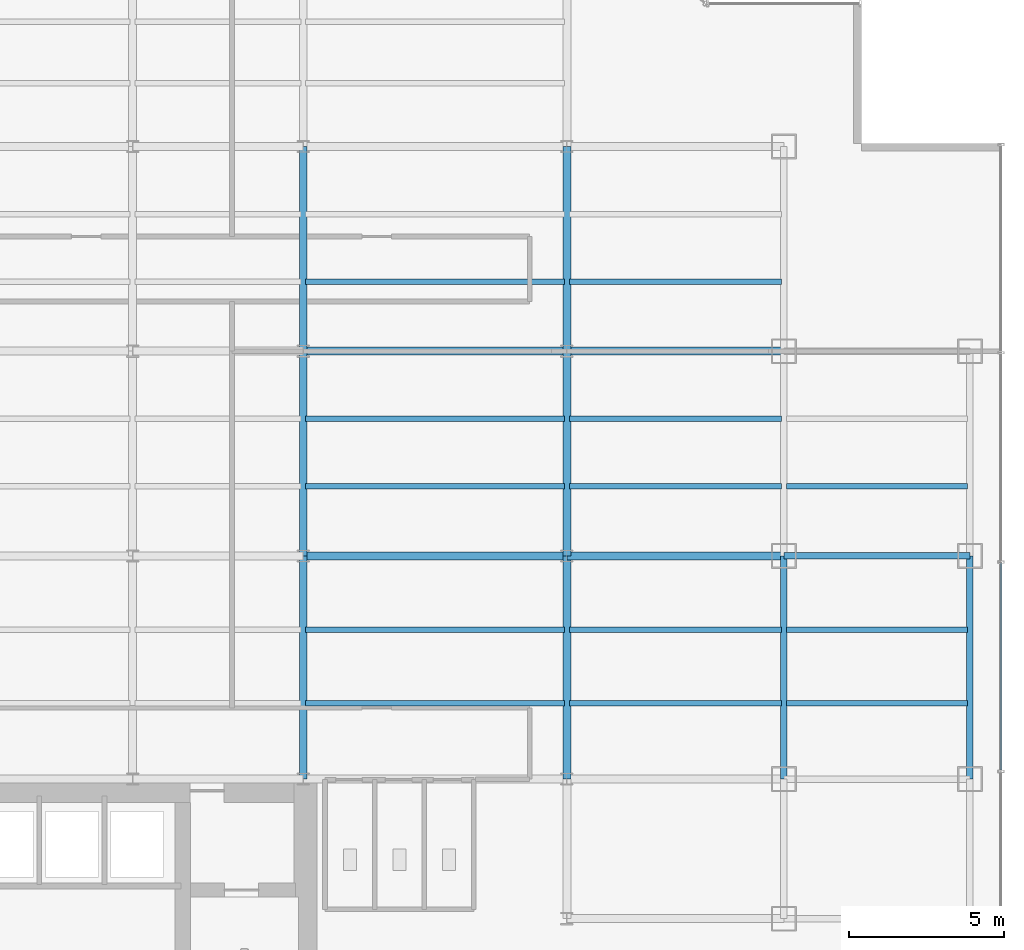
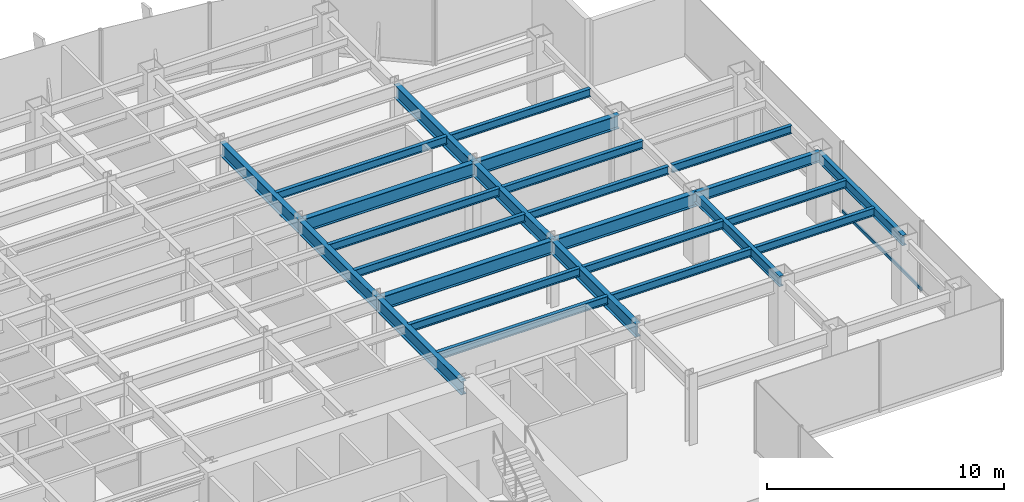
# One storey, part 11 of 26: 26 beams, 1 member, 1 element without a shape of its own.
"""IFC4 building model written with IfcOpenShell, lengths in metres."""

from ifc_helpers import new_model, si_unit, derived_unit, direction, frame, origin, origin_2d, place, context, subcontext, project, spatial, hollow_rectangle, i_section, extrude, source, transform, mapped, material, material_profile, profile_set, type_object, element, aggregate, save


model = new_model("IFC4")

# Units and contexts
model_context = context("Model", 3, precision=1e-05, world=origin(), true_north=direction((0.0, 1.0)))
body_context = subcontext(model_context, "Body", "Model", "MODEL_VIEW")
ifc_project = project(units=[si_unit("LENGTHUNIT", "METRE"), si_unit("AREAUNIT", "SQUARE_METRE"), si_unit("VOLUMEUNIT", "CUBIC_METRE"), si_unit("PLANEANGLEUNIT", "RADIAN"), si_unit("MASSUNIT", "GRAM", prefix="KILO"), derived_unit("THERMALTRANSMITTANCEUNIT", [(si_unit("POWERUNIT", "WATT"), 1), (si_unit("LENGTHUNIT", "METRE"), -2), (si_unit("THERMODYNAMICTEMPERATUREUNIT", "KELVIN"), -1)])], contexts=[model_context])

# Site, building, storey
site_placement = place(None, origin())
site = spatial("IfcSite", under=ifc_project, at=site_placement, CompositionType="ELEMENT")
building_placement = place(site_placement, origin())
building = spatial("IfcBuilding", under=site, at=building_placement, Name="Skarnbrae Concourse Arena and Tower", CompositionType="ELEMENT")
storey_placement = place(building_placement, frame((0.0, 0.0, 92.300048828125)))
storey = spatial("IfcBuildingStorey", under=building, at=storey_placement, Name="L22", CompositionType="ELEMENT", Elevation=92.300048828125)

# Beams
ifc_material_1 = material(Name="Steel CSA G40.21 350W", Category="steel")
ifc_material_profile_1 = material_profile(ifc_material_1, i_section(OverallWidth=0.256103515625, OverallDepth=0.693115234375, WebThickness=0.014404296875, FlangeThickness=0.023681640625, at=origin_2d()), Name="W690X170")
ifc_profile_set_1 = profile_set([ifc_material_profile_1], Name="Steel CSA G40.21 350W")
beam_type_1 = type_object("IfcBeamType", Name="BM-GIRD-W690X170", PredefinedType="BEAM", material=ifc_profile_set_1)
shared_shape_1 = source(origin(), body_context, "Body", "SweptSolid", [
    extrude(i_section(OverallWidth=0.256103515625, OverallDepth=0.693115234375, WebThickness=0.014404296875, FlangeThickness=0.023681640625, at=origin_2d()), origin(), (0.0, 0.0, 1.0), 7.0),
])
for number, where, z_axis, x_axis, name in (
    (1, (42.0, 21.199951171875, 3.053466796875), (1.0, 0.0, 0.0), (0.0, 1.0, 0.0), "L22 Primary E-W girder Y21.2-7"),
    (2, (42.0, 27.800048828125, 3.053466796875), (1.0, 0.0, 0.0), (0.0, 1.0, 0.0), "L22 Primary E-W girder Y27.8-7"),
):
    element("IfcBeam", number, at=place(storey_placement, frame(where, z_axis=z_axis, x_axis=x_axis)), inside=storey, type_object=beam_type_1, Name=name, PredefinedType="BEAM", context=body_context, shape_type="MappedRepresentation", body=[
        mapped(shared_shape_1, transform((0.0, 0.0, 0.0))),
    ])
ifc_material_profile_2 = material_profile(ifc_material_1, i_section(OverallWidth=0.208984375, OverallDepth=0.532958984375, WebThickness=0.01025390625, FlangeThickness=0.015625, at=origin_2d()), Name="W530X92")
ifc_profile_set_2 = profile_set([ifc_material_profile_2], Name="Steel CSA G40.21 350W")
beam_type_2 = type_object("IfcBeamType", Name="BM-SPAN-W530X92", PredefinedType="SPANDREL", material=ifc_profile_set_2)
shared_shape_2 = source(origin(), body_context, "Body", "SweptSolid", [
    extrude(i_section(OverallWidth=0.208984375, OverallDepth=0.532958984375, WebThickness=0.01025390625, FlangeThickness=0.015625, at=origin_2d()), origin(), (0.0, 0.0, 1.0), 6.0),
])
beam_placement = place(storey_placement, frame((49.0, 21.199951171875, 3.133544921875), z_axis=(1.0, 0.0, 0.0), x_axis=(0.0, 1.0, 0.0)))
element("IfcBeam", 3, at=beam_placement, inside=storey, type_object=beam_type_2, Name="L22 Perimeter spandrel Y21.2-8", PredefinedType="SPANDREL", context=body_context, shape_type="MappedRepresentation", body=[
    mapped(shared_shape_2, transform((0.0, 0.0, 0.0))),
])
shared_shape_3 = source(origin(), body_context, "Body", "SweptSolid", [
    extrude(i_section(OverallWidth=0.256103515625, OverallDepth=0.693115234375, WebThickness=0.014404296875, FlangeThickness=0.023681640625, at=origin_2d()), origin(), (0.0, 0.0, 1.0), 6.60009765625),
])
for number, where, z_axis, x_axis, name in (
    (4, (33.5, 21.199951171875, 3.053466796875), (0.0, 1.0, 0.0), (-1.0, 0.0, 0.0), "L22 Primary N-S girder X33.5-2"),
    (5, (42.0, 21.199951171875, 3.053466796875), (0.0, 1.0, 0.0), (-1.0, 0.0, 0.0), "L22 Primary N-S girder X42.0-3"),
):
    element("IfcBeam", number, at=place(storey_placement, frame(where, z_axis=z_axis, x_axis=x_axis)), inside=storey, type_object=beam_type_1, Name=name, PredefinedType="BEAM", context=body_context, shape_type="MappedRepresentation", body=[
        mapped(shared_shape_3, transform((0.0, 0.0, 0.0))),
    ])
shared_shape_4 = source(origin(), body_context, "Body", "SweptSolid", [
    extrude(i_section(OverallWidth=0.256103515625, OverallDepth=0.693115234375, WebThickness=0.014404296875, FlangeThickness=0.023681640625, at=origin_2d()), origin(), (0.0, 0.0, 1.0), 8.5),
])
for number, where, z_axis, x_axis, name in (
    (6, (33.5, 21.199951171875, 3.053466796875), (1.0, 0.0, 0.0), (0.0, 1.0, 0.0), "L22 Primary E-W girder Y21.2-6"),
    (7, (33.5, 27.800048828125, 3.053466796875), (1.0, 0.0, 0.0), (0.0, 1.0, 0.0), "L22 Primary E-W girder Y27.8-6"),
):
    element("IfcBeam", number, at=place(storey_placement, frame(where, z_axis=z_axis, x_axis=x_axis)), inside=storey, type_object=beam_type_1, Name=name, PredefinedType="BEAM", context=body_context, shape_type="MappedRepresentation", body=[
        mapped(shared_shape_4, transform((0.0, 0.0, 0.0))),
    ])
shared_shape_5 = source(origin(), body_context, "Body", "SweptSolid", [
    extrude(i_section(OverallWidth=0.208984375, OverallDepth=0.532958984375, WebThickness=0.01025390625, FlangeThickness=0.015625, at=origin_2d()), origin(), (0.0, 0.0, 1.0), 7.199951171875),
])
for number, where, z_axis, x_axis, name in (
    (8, (49.0, 14.0, 3.133544921875), (0.0, 1.0, 0.0), (-1.0, 0.0, 0.0), "L22 Perimeter spandrel X49.0-2"),
    (9, (55.0, 14.0, 3.133544921875), (0.0, 1.0, 0.0), (-1.0, 0.0, 0.0), "L22 Perimeter spandrel X55.0-2"),
):
    element("IfcBeam", number, at=place(storey_placement, frame(where, z_axis=z_axis, x_axis=x_axis)), inside=storey, type_object=beam_type_2, Name=name, PredefinedType="SPANDREL", context=body_context, shape_type="MappedRepresentation", body=[
        mapped(shared_shape_5, transform((0.0, 0.0, 0.0))),
    ])
shared_shape_6 = source(origin(), body_context, "Body", "SweptSolid", [
    extrude(i_section(OverallWidth=0.256103515625, OverallDepth=0.693115234375, WebThickness=0.014404296875, FlangeThickness=0.023681640625, at=origin_2d()), origin(), (0.0, 0.0, 1.0), 7.199951171875),
])
for number, where, z_axis, x_axis, name in (
    (10, (33.5, 14.0, 3.053466796875), (0.0, 1.0, 0.0), (-1.0, 0.0, 0.0), "L22 Primary N-S girder X33.5-1"),
    (11, (42.0, 14.0, 3.053466796875), (0.0, 1.0, 0.0), (-1.0, 0.0, 0.0), "L22 Primary N-S girder X42.0-2"),
):
    element("IfcBeam", number, at=place(storey_placement, frame(where, z_axis=z_axis, x_axis=x_axis)), inside=storey, type_object=beam_type_1, Name=name, PredefinedType="BEAM", context=body_context, shape_type="MappedRepresentation", body=[
        mapped(shared_shape_6, transform((0.0, 0.0, 0.0))),
    ])
shared_shape_7 = source(origin(), body_context, "Body", "SweptSolid", [
    extrude(i_section(OverallWidth=0.256103515625, OverallDepth=0.693115234375, WebThickness=0.014404296875, FlangeThickness=0.023681640625, at=origin_2d()), origin(), (0.0, 0.0, 1.0), 6.599853515625),
])
for number, where, z_axis, x_axis, name in (
    (12, (33.5, 27.800048828125, 3.053466796875), (0.0, 1.0, 0.0), (-1.0, 0.0, 0.0), "L22 Primary N-S girder X33.5-3"),
    (13, (42.0, 27.800048828125, 3.053466796875), (0.0, 1.0, 0.0), (-1.0, 0.0, 0.0), "L22 Primary N-S girder X42.0-4"),
):
    element("IfcBeam", number, at=place(storey_placement, frame(where, z_axis=z_axis, x_axis=x_axis)), inside=storey, type_object=beam_type_1, Name=name, PredefinedType="BEAM", context=body_context, shape_type="MappedRepresentation", body=[
        mapped(shared_shape_7, transform((0.0, 0.0, 0.0))),
    ])
ifc_material_profile_3 = material_profile(ifc_material_1, i_section(OverallWidth=0.177978515625, OverallDepth=0.406982421875, WebThickness=0.0078125, FlangeThickness=0.0126953125, at=origin_2d()), Name="W410X60")
ifc_profile_set_3 = profile_set([ifc_material_profile_3], Name="Steel CSA G40.21 350W")
beam_type_3 = type_object("IfcBeamType", Name="BM-JOIST-W410X60", PredefinedType="JOIST", material=ifc_profile_set_3)
shared_shape_8 = source(origin(), body_context, "Body", "SweptSolid", [
    extrude(i_section(OverallWidth=0.177978515625, OverallDepth=0.406982421875, WebThickness=0.0078125, FlangeThickness=0.0126953125, at=origin_2d()), origin(), (0.0, 0.0, 1.0), 8.33984375),
])
for number, where, z_axis, x_axis, name in (
    (14, (33.580078125, 16.447998046875, 3.196533203125), (1.0, 0.0, 0.0), (0.0, 1.0, 0.0), "L22 Secondary floor joist 1.1.6"),
    (15, (33.580078125, 18.823974609375, 3.196533203125), (1.0, 0.0, 0.0), (0.0, 1.0, 0.0), "L22 Secondary floor joist 1.2.6"),
    (16, (33.580078125, 23.444091796875, 3.196533203125), (1.0, 0.0, 0.0), (0.0, 1.0, 0.0), "L22 Secondary floor joist 2.1.6"),
    (17, (33.580078125, 25.6220703125, 3.196533203125), (1.0, 0.0, 0.0), (0.0, 1.0, 0.0), "L22 Secondary floor joist 2.2.6"),
    (18, (33.580078125, 30.0439453125, 3.196533203125), (1.0, 0.0, 0.0), (0.0, 1.0, 0.0), "L22 Secondary floor joist 3.1.5"),
):
    element("IfcBeam", number, at=place(storey_placement, frame(where, z_axis=z_axis, x_axis=x_axis)), inside=storey, type_object=beam_type_3, Name=name, PredefinedType="JOIST", context=body_context, shape_type="MappedRepresentation", body=[
        mapped(shared_shape_8, transform((0.0, 0.0, 0.0))),
    ])
shared_shape_9 = source(origin(), body_context, "Body", "SweptSolid", [
    extrude(i_section(OverallWidth=0.177978515625, OverallDepth=0.406982421875, WebThickness=0.0078125, FlangeThickness=0.0126953125, at=origin_2d()), origin(), (0.0, 0.0, 1.0), 6.83984375),
])
for number, where, z_axis, x_axis, name in (
    (19, (42.080078125, 16.447998046875, 3.196533203125), (1.0, 0.0, 0.0), (0.0, 1.0, 0.0), "L22 Secondary floor joist 1.1.7"),
    (20, (42.080078125, 18.823974609375, 3.196533203125), (1.0, 0.0, 0.0), (0.0, 1.0, 0.0), "L22 Secondary floor joist 1.2.7"),
    (21, (42.080078125, 23.444091796875, 3.196533203125), (1.0, 0.0, 0.0), (0.0, 1.0, 0.0), "L22 Secondary floor joist 2.1.7"),
    (22, (42.080078125, 25.6220703125, 3.196533203125), (1.0, 0.0, 0.0), (0.0, 1.0, 0.0), "L22 Secondary floor joist 2.2.7"),
    (23, (42.080078125, 30.0439453125, 3.196533203125), (1.0, 0.0, 0.0), (0.0, 1.0, 0.0), "L22 Secondary floor joist 3.1.6"),
):
    element("IfcBeam", number, at=place(storey_placement, frame(where, z_axis=z_axis, x_axis=x_axis)), inside=storey, type_object=beam_type_3, Name=name, PredefinedType="JOIST", context=body_context, shape_type="MappedRepresentation", body=[
        mapped(shared_shape_9, transform((0.0, 0.0, 0.0))),
    ])
shared_shape_10 = source(origin(), body_context, "Body", "SweptSolid", [
    extrude(i_section(OverallWidth=0.177978515625, OverallDepth=0.406982421875, WebThickness=0.0078125, FlangeThickness=0.0126953125, at=origin_2d()), origin(), (0.0, 0.0, 1.0), 5.83984375),
])
for number, where, z_axis, x_axis, name in (
    (24, (49.080078125, 16.447998046875, 3.196533203125), (1.0, 0.0, 0.0), (0.0, 1.0, 0.0), "L22 Secondary floor joist 1.1.8"),
    (25, (49.080078125, 18.823974609375, 3.196533203125), (1.0, 0.0, 0.0), (0.0, 1.0, 0.0), "L22 Secondary floor joist 1.2.8"),
    (26, (49.080078125, 23.444091796875, 3.196533203125), (1.0, 0.0, 0.0), (0.0, 1.0, 0.0), "L22 Secondary floor joist 2.1.8"),
):
    element("IfcBeam", number, at=place(storey_placement, frame(where, z_axis=z_axis, x_axis=x_axis)), inside=storey, type_object=beam_type_3, Name=name, PredefinedType="JOIST", context=body_context, shape_type="MappedRepresentation", body=[
        mapped(shared_shape_10, transform((0.0, 0.0, 0.0))),
    ])

# Curtain wall, member
ifc_material_2 = material(Name="Bronze anodised aluminium 6063-T6", Category="aluminium")
curtain_wall_type = type_object("IfcCurtainWallType", Name="CW-SYS-04-MIDZONE", PredefinedType="USERDEFINED", material=ifc_material_2)
curtain_wall_placement = place(storey_placement, origin())
curtain_wall = element("IfcCurtainWall", 27, at=curtain_wall_placement, inside=storey, type_object=curtain_wall_type, Name="L22 Unitised curtain wall CW-L22-E04", ObjectType="UNITISED CURTAIN WALL", PredefinedType="USERDEFINED")
ifc_material_profile_4 = material_profile(ifc_material_2, hollow_rectangle(XDim=0.074951171875, YDim=0.159912109375, WallThickness=0.00439453125, at=origin_2d()), Name="ALU-TRAN-75X160")
ifc_profile_set_4 = profile_set([ifc_material_profile_4], Name="Bronze anodised aluminium 6063-T6")
member_type = type_object("IfcMemberType", Name="CWT-CW-04", PredefinedType="USERDEFINED", material=ifc_profile_set_4)
shared_shape_11 = source(origin(), body_context, "Body", "SweptSolid", [
    extrude(hollow_rectangle(XDim=0.074951171875, YDim=0.159912109375, WallThickness=0.00439453125, at=origin_2d()), origin(), (0.0, 0.0, 1.0), 6.6748046875),
])
member_placement = place(storey_placement, frame((56.0, 14.28759765625, 0.079833984375), z_axis=(0.0, 1.0, 0.0), x_axis=(-1.0, 0.0, 0.0)))
member = element("IfcMember", 28, at=member_placement, type_object=member_type, Name="CW-L22-E04 Transom 2", ObjectType="TRANSOM", PredefinedType="USERDEFINED", context=body_context, shape_type="MappedRepresentation", body=[
    mapped(shared_shape_11, transform((0.0, 0.0, 0.0))),
])
aggregate(curtain_wall, [member])

save(model, "model.ifc")
